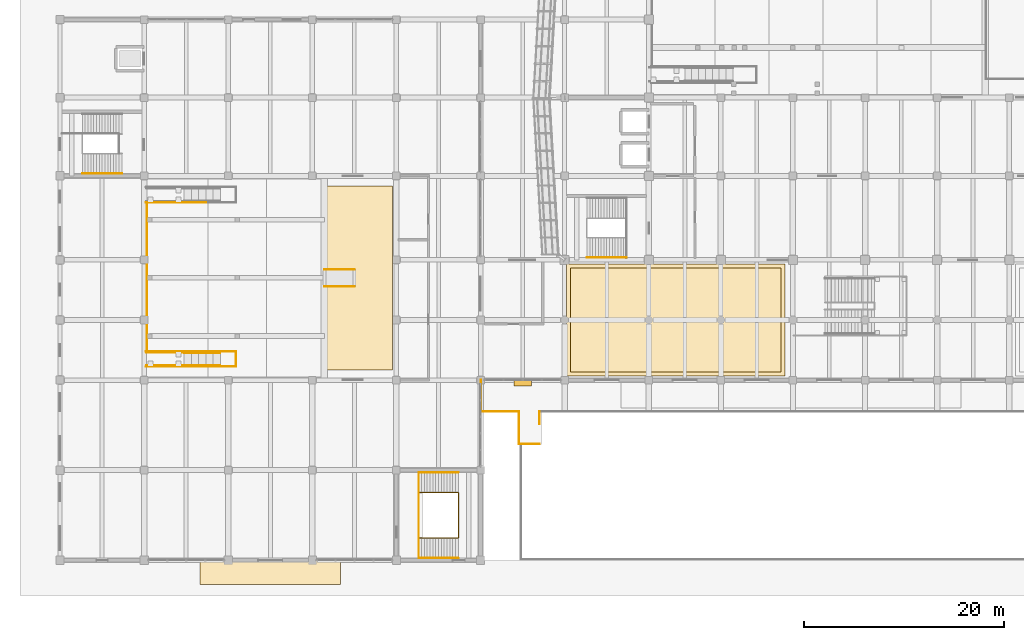
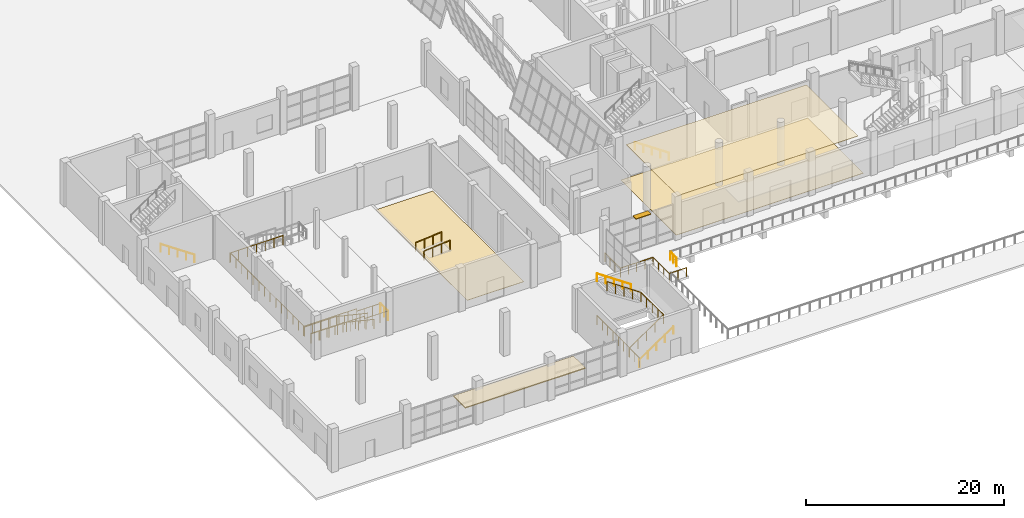
# One storey, part 71 of 78: 20 railings, 4 coverings, 1 shading device.
"""IFC4 building model written with IfcOpenShell, lengths in metres."""

import ifcopenshell
import ifcopenshell.guid

model = None  # the IFC model being written
_history = None  # IfcOwnerHistory: only IFC2X3 demands one
_inside = {}  # id of a spatial element -> (the spatial element, [elements in it])
_under = {}  # id of a project, library or spatial element -> (it, [spatial elements below it])
_declared = {}  # id of a project -> (the project, [libraries it declares])
_typed = {}  # id of a type object -> (the type object, [elements of that type])
_made_of = {}  # id of a material, layer set ... -> (it, [elements and type objects made of it])


def new_model(schema):
    """Start an empty IFC model of exactly this schema.

    Asked for "IFC4X3", IfcOpenShell would pick the latest addendum, in which some entities
    have other attributes; the version numbers below select the first issue.
    IFC2X3 requires an IfcOwnerHistory on every rooted entity: one is made here for all.
    """
    global model, _history
    if schema == "IFC4X3":
        model = ifcopenshell.file(schema_version=(4, 3, 0, 0))
    else:
        model = ifcopenshell.file(schema=schema)
    _inside.clear()
    _under.clear()
    _declared.clear()
    _typed.clear()
    _made_of.clear()
    _history = None
    if model.schema == "IFC2X3":
        org = make("IfcOrganization", Name="unknown")
        user = make(
            "IfcPersonAndOrganization",
            ThePerson=make("IfcPerson", FamilyName="unknown"),
            TheOrganization=org,
        )
        app = make(
            "IfcApplication",
            ApplicationDeveloper=org,
            Version="unknown",
            ApplicationFullName="unknown",
            ApplicationIdentifier="unknown",
        )
        _history = make(
            "IfcOwnerHistory",
            OwningUser=user,
            OwningApplication=app,
            ChangeAction="ADDED",
            CreationDate=0,
        )
    return model


def make(cls, **values):
    """One entity of the class cls with the attributes given. An attribute that is None is left unset."""
    return model.create_entity(
        cls, **{name: value for name, value in values.items() if value is not None}
    )


def rooted(cls, **values):
    """An entity with a GlobalId (a new one), such as an element, a storey or a relation."""
    return make(cls, GlobalId=ifcopenshell.guid.new(), OwnerHistory=_history, **values)


def si_unit(unit_type, name, prefix=None):
    """IfcSIUnit, for example si_unit("LENGTHUNIT", "METRE", prefix="MILLI")."""
    return make("IfcSIUnit", UnitType=unit_type, Prefix=prefix, Name=name)


def assignment(units):
    """IfcUnitAssignment: the units of a project."""
    return None if units is None else make("IfcUnitAssignment", Units=units)


def point(xyz):
    """IfcCartesianPoint."""
    return None if xyz is None else make("IfcCartesianPoint", Coordinates=xyz)


def direction(xyz):
    """IfcDirection."""
    return None if xyz is None else make("IfcDirection", DirectionRatios=xyz)


def frame(location, z_axis=None, x_axis=None):
    """IfcAxis2Placement3D, a coordinate frame: its origin and axes. An axis left out is left unset."""
    return make(
        "IfcAxis2Placement3D",
        Location=point(location),
        Axis=direction(z_axis),
        RefDirection=direction(x_axis),
    )


def frame_2d(location, x_axis=None):
    """IfcAxis2Placement2D, a coordinate frame in the plane: its origin and x axis."""
    return make(
        "IfcAxis2Placement2D", Location=point(location), RefDirection=direction(x_axis)
    )


def origin():
    """The frame at (0, 0, 0) with its axes left unset."""
    return frame((0.0, 0.0, 0.0))


def origin_2d():
    """The frame at (0, 0) in the plane with its x axis left unset."""
    return frame_2d((0.0, 0.0))


def place(relative_to, where):
    """IfcLocalPlacement: puts the frame where relative to a parent placement (None: the world)."""
    return make(
        "IfcLocalPlacement", PlacementRelTo=relative_to, RelativePlacement=where
    )


def context(
    kind, dimensions, precision=None, world=None, true_north=None, identifier=None
):
    """IfcGeometricRepresentationContext, for example the 3D "Model" context."""
    return make(
        "IfcGeometricRepresentationContext",
        ContextIdentifier=identifier,
        ContextType=kind,
        CoordinateSpaceDimension=dimensions,
        Precision=precision,
        WorldCoordinateSystem=world,
        TrueNorth=true_north,
    )


def subcontext(parent, identifier, kind, view, scale=None):
    """IfcGeometricRepresentationSubContext, for example "Body" below "Model"."""
    return make(
        "IfcGeometricRepresentationSubContext",
        ContextIdentifier=identifier,
        ContextType=kind,
        ParentContext=parent,
        TargetScale=scale,
        TargetView=view,
    )


def project(units=None, contexts=None):
    """IfcProject with its units and contexts."""
    return rooted(
        "IfcProject",
        Name="project",
        RepresentationContexts=contexts,
        UnitsInContext=assignment(units),
    )


def spatial(cls, under=None, at=None, **own):
    """A site, building, storey or space (cls), placed at a placement, below another one or the project."""
    s = rooted(cls, ObjectPlacement=at, **own)
    if under is not None:
        _under.setdefault(under.id(), (under, []))[1].append(s)
    return s


def polyline(points):
    """IfcPolyline through the points."""
    return make("IfcPolyline", Points=[point(p) for p in points])


def profile(cls, at=None, kind="AREA", **sizes):
    """A parametric profile (cls). Its sizes go by their IFC names, for example OverallWidth=200.0."""
    return make(cls, ProfileType=kind, Position=at, **sizes)


def rectangle(**sizes):
    """IfcRectangleProfileDef."""
    return profile("IfcRectangleProfileDef", **sizes)


def circle(**sizes):
    """IfcCircleProfileDef."""
    return profile("IfcCircleProfileDef", **sizes)


def outline(outer, holes=None, kind="AREA"):
    """IfcArbitraryClosedProfileDef: a profile drawn as a closed curve; with holes, ...WithVoids."""
    if holes is None:
        return make("IfcArbitraryClosedProfileDef", ProfileType=kind, OuterCurve=outer)
    return make(
        "IfcArbitraryProfileDefWithVoids",
        ProfileType=kind,
        OuterCurve=outer,
        InnerCurves=holes,
    )


def extrude(swept, where, along, depth):
    """IfcExtrudedAreaSolid: the profile swept, set in the frame where, extruded along a direction by depth."""
    return make(
        "IfcExtrudedAreaSolid",
        SweptArea=swept,
        Position=where,
        ExtrudedDirection=direction(along),
        Depth=depth,
    )


def shape(context_of_items, identifier, shape_type, items):
    """IfcShapeRepresentation: the items that make up one representation, for example the "Body"."""
    return make(
        "IfcShapeRepresentation",
        ContextOfItems=context_of_items,
        RepresentationIdentifier=identifier,
        RepresentationType=shape_type,
        Items=items,
    )


def material(Name=None, Category=None):
    """IfcMaterial."""
    return make("IfcMaterial", Name=Name, Category=Category)


def layer(
    of_material, thickness, ventilated=None, Name=None, Category=None, Priority=None
):
    """IfcMaterialLayer: one layer of a wall or slab, of a material (None: an air gap)."""
    return make(
        "IfcMaterialLayer",
        Material=of_material,
        LayerThickness=thickness,
        IsVentilated=ventilated,
        Name=Name,
        Category=Category,
        Priority=Priority,
    )


def layer_set(layers, Name=None):
    """IfcMaterialLayerSet."""
    return make("IfcMaterialLayerSet", MaterialLayers=layers, LayerSetName=Name)


def made_of(thing, what):
    """Note that an element or type object is made of a material, layer set ...; save() writes the relation."""
    if what is not None:
        _made_of.setdefault(what.id(), (what, []))[1].append(thing)
    return thing


def type_object(cls, material=None, **own):
    """A type object (cls), such as IfcWallType, which elements share."""
    return made_of(rooted(cls, **own), material)


def element(
    cls,
    number,
    at=None,
    inside=None,
    cuts=None,
    type_object=None,
    material=None,
    context=None,
    identifier="Body",
    shape_type=None,
    held_by="IfcProductDefinitionShape",
    body=None,
    shapes=None,
    **own,
):
    """One element of the class cls, such as IfcWall. Its Tag is "e" and its number.

    at: its placement. inside: the storey or other place that contains it. cuts: it is an
    opening in that element (IfcRelVoidsElement). A single representation is given by context,
    identifier, shape_type and body (its items); several are given by shapes. held_by: the class
    of the entity that holds the representations. save() writes the other relations.
    """
    e = rooted(cls, Tag="e%d" % number, ObjectPlacement=at, **own)
    if body is not None:
        shapes = [shape(context, identifier, shape_type, body)]
    if shapes is not None:
        e.Representation = make(held_by, Representations=shapes)
    if inside is not None:
        _inside.setdefault(inside.id(), (inside, []))[1].append(e)
    if cuts is not None:
        rooted(
            "IfcRelVoidsElement", RelatingBuildingElement=cuts, RelatedOpeningElement=e
        )
    if type_object is not None:
        _typed.setdefault(type_object.id(), (type_object, []))[1].append(e)
    return made_of(e, material)


def aggregate(whole, parts):
    """IfcRelAggregates: a whole, such as a stair, and the parts it consists of."""
    return rooted("IfcRelAggregates", RelatingObject=whole, RelatedObjects=parts)


def save(model, path):
    """Write the relations noted so far, then the file.

    IfcRelAggregates (storeys below a building ...), IfcRelContainedInSpatialStructure (elements
    in a storey), IfcRelDefinesByType, IfcRelAssociatesMaterial and IfcRelDeclares: one each for
    every whole, place, type object, material and project.
    """
    for whole, parts in _under.values():
        aggregate(whole, parts)
    for where, things in _inside.values():
        rooted(
            "IfcRelContainedInSpatialStructure",
            RelatedElements=things,
            RelatingStructure=where,
        )
    for kind, things in _typed.values():
        rooted("IfcRelDefinesByType", RelatedObjects=things, RelatingType=kind)
    for what, things in _made_of.values():
        rooted("IfcRelAssociatesMaterial", RelatedObjects=things, RelatingMaterial=what)
    for by, libraries in _declared.values():
        rooted("IfcRelDeclares", RelatingContext=by, RelatedDefinitions=libraries)
    model.write(path)


model = new_model("IFC4")

# Units and contexts
model_context = context("Model", 3, precision=1e-05, world=origin(), true_north=direction((0.0, 1.0)))
body_context = subcontext(model_context, "Body", "Model", "MODEL_VIEW")
ifc_project = project(units=[si_unit("LENGTHUNIT", "METRE"), si_unit("AREAUNIT", "SQUARE_METRE"), si_unit("VOLUMEUNIT", "CUBIC_METRE"), si_unit("PLANEANGLEUNIT", "RADIAN"), si_unit("MASSUNIT", "GRAM", prefix="KILO")], contexts=[model_context])

# Site, building, storey
site_placement = place(None, origin())
site = spatial("IfcSite", under=ifc_project, at=site_placement, CompositionType="ELEMENT")
building_placement = place(site_placement, origin())
building = spatial("IfcBuilding", under=site, at=building_placement, Name="Pellamere Symphony Hall", CompositionType="ELEMENT")
storey_placement = place(building_placement, origin())
storey = spatial("IfcBuildingStorey", under=building, at=storey_placement, Name="L00", CompositionType="ELEMENT", Elevation=0.0)

# Railing
ifc_material_1 = material(Name="Architectural Bronze-Anodised Aluminium Balustrade", Category="aluminium")
railing_type_1 = type_object("IfcRailingType", Name="Balustrade BL-02 H1150 Architectural", PredefinedType="BALUSTRADE", material=ifc_material_1)
railing_1_placement = place(storey_placement, frame((8.679931640625, 20.85009765625, 0.85009765625)))
element("IfcRailing", 1, at=railing_1_placement, inside=storey, type_object=railing_type_1, Name="Safety Guardrail BL-C-L00W", PredefinedType="BALUSTRADE", context=body_context, shape_type="SweptSolid", body=[
    extrude(circle(Radius=0.02392578125, at=origin_2d()), frame((0.0, 0.0, 1.1259765625), z_axis=(0.0, 1.0, 0.0), x_axis=(-1.0, 0.0, 0.0)), (0.0, 0.0, 1.0), 14.89990234375),
    extrude(circle(Radius=0.02099609375, at=origin_2d()), origin(), (0.0, 0.0, 1.0), 1.101806640625),
    extrude(circle(Radius=0.02099609375, at=origin_2d()), frame((0.0, 1.146240234375, 0.0)), (0.0, 0.0, 1.0), 1.101806640625),
    extrude(circle(Radius=0.02099609375, at=origin_2d()), frame((0.0, 2.292236328125, 0.0)), (0.0, 0.0, 1.0), 1.101806640625),
    extrude(circle(Radius=0.02099609375, at=origin_2d()), frame((0.0, 3.4384765625, 0.0)), (0.0, 0.0, 1.0), 1.101806640625),
    extrude(circle(Radius=0.02099609375, at=origin_2d()), frame((0.0, 4.58447265625, 0.0)), (0.0, 0.0, 1.0), 1.101806640625),
    extrude(circle(Radius=0.02099609375, at=origin_2d()), frame((0.0, 5.730712890625, 0.0)), (0.0, 0.0, 1.0), 1.101806640625),
    extrude(circle(Radius=0.02099609375, at=origin_2d()), frame((0.0, 6.876953125, 0.0)), (0.0, 0.0, 1.0), 1.101806640625),
    extrude(circle(Radius=0.02099609375, at=origin_2d()), frame((0.0, 8.02294921875, 0.0)), (0.0, 0.0, 1.0), 1.101806640625),
    extrude(circle(Radius=0.02099609375, at=origin_2d()), frame((0.0, 9.169189453125, 0.0)), (0.0, 0.0, 1.0), 1.101806640625),
    extrude(circle(Radius=0.02099609375, at=origin_2d()), frame((0.0, 10.3154296875, 0.0)), (0.0, 0.0, 1.0), 1.101806640625),
    extrude(circle(Radius=0.02099609375, at=origin_2d()), frame((0.0, 11.46142578125, 0.0)), (0.0, 0.0, 1.0), 1.101806640625),
    extrude(circle(Radius=0.02099609375, at=origin_2d()), frame((0.0, 12.607666015625, 0.0)), (0.0, 0.0, 1.0), 1.101806640625),
    extrude(circle(Radius=0.02099609375, at=origin_2d()), frame((0.0, 13.753662109375, 0.0)), (0.0, 0.0, 1.0), 1.101806640625),
    extrude(circle(Radius=0.02099609375, at=origin_2d()), frame((0.0, 14.89990234375, 0.0)), (0.0, 0.0, 1.0), 1.101806640625),
])

# Covering
ifc_material_2 = material(Name="Cantilevered Architectural Bronze Entrance Canopy Soffit", Category="aluminium")
ifc_layer_1 = layer(ifc_material_2, 0.1201171875, Name="Cantilevered Architectural Bronze Entrance Canopy Soffit")
ifc_layer_set_1 = layer_set([ifc_layer_1], Name="Cantilevered Architectural Bronze Entrance Canopy Soffit")
covering_type_1 = type_object("IfcCoveringType", Name="Envelope Covering CN-01 120mm", PredefinedType="USERDEFINED", material=ifc_layer_set_1)
covering_1_placement = place(storey_placement, frame((0.0, 0.0, 4.10009765625)))
element("IfcCovering", 2, at=covering_1_placement, inside=storey, type_object=covering_type_1, Name="Entrance Bronze Canopy Soffit 3", ObjectType="CANOPY", PredefinedType="USERDEFINED", context=body_context, shape_type="SweptSolid", body=[
    extrude(outline(polyline([(14.0, -2.39990234375), (28.0, -2.39990234375), (28.0, 0.02001953125), (14.0, 0.02001953125), (14.0, -2.39990234375)])), origin(), (0.0, 0.0, 1.0), 0.119873046875),
])

# Shading device
ifc_material_3 = material(Name="Champagne-Anodised Extruded Aluminium 6063-T6", Category="aluminium")
shading_device_type = type_object("IfcShadingDeviceType", Name="Exterior Shading SD-02 1750x650", PredefinedType="AWNING", material=ifc_material_3)
shading_device_placement = place(storey_placement, frame((46.199951171875, 17.719970703125, 4.41259765625), z_axis=(0.0, 0.0, 1.0), x_axis=(1.0, 0.0, 0.0)))
element("IfcShadingDevice", 3, at=shading_device_placement, inside=storey, type_object=shading_device_type, Name="South Concourse Brise-Soleil Awning (L00 Bay 1)", PredefinedType="AWNING", context=body_context, shape_type="SweptSolid", body=[
    extrude(rectangle(XDim=1.75, YDim=0.64990234375, at=origin_2d()), origin(), (0.0, 0.0, 1.0), 0.074951171875),
])

# Railings
ifc_material_4 = material(Name="Stainless Steel AISI 316", Category="steel")
railing_type_2 = type_object("IfcRailingType", Name="Guardrail GR-01 H1120 Stainless", PredefinedType="GUARDRAIL", material=ifc_material_4)
railing_2_placement = place(storey_placement, frame((45.85009765625, 14.8798828125, 0.0)))
element("IfcRailing", 4, at=railing_2_placement, inside=storey, type_object=railing_type_2, Name="Ramp RMP-01 Arrival Bridge South Guard", PredefinedType="GUARDRAIL", context=body_context, shape_type="SweptSolid", body=[
    extrude(circle(Radius=0.02392578125, at=origin_2d()), frame((0.0, 0.0, 1.09619140625), z_axis=(0.0, -1.0, 0.0), x_axis=(1.0, 0.0, 0.0)), (0.0, 0.0, 1.0), 3.27978515625),
    extrude(circle(Radius=0.02392578125, at=origin_2d()), frame((0.0, -3.27978515625, 1.09619140625), z_axis=(1.0, 0.0, 0.0), x_axis=(0.0, 1.0, 0.0)), (0.0, 0.0, 1.0), 2.02978515625),
    extrude(circle(Radius=0.02099609375, at=origin_2d()), origin(), (0.0, 0.0, 1.0), 1.072021484375),
    extrude(circle(Radius=0.02099609375, at=origin_2d()), frame((0.0, -1.09326171875, 0.0)), (0.0, 0.0, 1.0), 1.072021484375),
    extrude(circle(Radius=0.02099609375, at=origin_2d()), frame((0.0, -2.1865234375, 0.0)), (0.0, 0.0, 1.0), 1.072021484375),
    extrude(circle(Radius=0.02099609375, at=origin_2d()), frame((0.0, -3.27978515625, 0.0)), (0.0, 0.0, 1.0), 1.072021484375),
    extrude(circle(Radius=0.02099609375, at=origin_2d()), frame((1.014892578125, -3.27978515625, 0.0)), (0.0, 0.0, 1.0), 1.072021484375),
    extrude(circle(Radius=0.02099609375, at=origin_2d()), frame((2.02978515625, -3.27978515625, 0.0)), (0.0, 0.0, 1.0), 1.072021484375),
])
railing_3_placement = place(storey_placement, frame((47.8798828125, 13.6201171875, 0.0)))
element("IfcRailing", 5, at=railing_3_placement, inside=storey, type_object=railing_type_2, Name="Ramp RMP-01 Arrival Bridge East Guard", PredefinedType="GUARDRAIL", context=body_context, shape_type="SweptSolid", body=[
    extrude(circle(Radius=0.02392578125, at=origin_2d()), frame((0.0, 0.0, 1.09619140625), z_axis=(0.0, 1.0, 0.0), x_axis=(-1.0, 0.0, 0.0)), (0.0, 0.0, 1.0), 1.259765625),
    extrude(circle(Radius=0.02099609375, at=origin_2d()), origin(), (0.0, 0.0, 1.0), 1.072021484375),
    extrude(circle(Radius=0.02099609375, at=origin_2d()), frame((0.0, 0.6298828125, 0.0)), (0.0, 0.0, 1.0), 1.072021484375),
    extrude(circle(Radius=0.02099609375, at=origin_2d()), frame((0.0, 1.259765625, 0.0)), (0.0, 0.0, 1.0), 1.072021484375),
])
railing_4_placement = place(storey_placement, frame((42.050048828125, 18.0, 0.0)))
element("IfcRailing", 6, at=railing_4_placement, inside=storey, type_object=railing_type_2, Name="Safety Guardrail GR-PORCH-1", PredefinedType="GUARDRAIL", context=body_context, shape_type="SweptSolid", body=[
    extrude(circle(Radius=0.02392578125, at=origin_2d()), frame((0.0, 0.0, 1.09619140625), z_axis=(0.0, -1.0, 0.0), x_axis=(1.0, 0.0, 0.0)), (0.0, 0.0, 1.0), 3.1201171875),
    extrude(circle(Radius=0.02392578125, at=origin_2d()), frame((0.0, -3.1201171875, 1.09619140625), z_axis=(1.0, 0.0, 0.0), x_axis=(0.0, 1.0, 0.0)), (0.0, 0.0, 1.0), 3.800048828125),
    extrude(circle(Radius=0.02099609375, at=origin_2d()), origin(), (0.0, 0.0, 1.0), 1.072021484375),
    extrude(circle(Radius=0.02099609375, at=origin_2d()), frame((0.0, -1.0400390625, 0.0)), (0.0, 0.0, 1.0), 1.072021484375),
    extrude(circle(Radius=0.02099609375, at=origin_2d()), frame((0.0, -2.080078125, 0.0)), (0.0, 0.0, 1.0), 1.072021484375),
    extrude(circle(Radius=0.02099609375, at=origin_2d()), frame((0.0, -3.1201171875, 0.0)), (0.0, 0.0, 1.0), 1.072021484375),
    extrude(circle(Radius=0.02099609375, at=origin_2d()), frame((0.949951171875, -3.1201171875, 0.0)), (0.0, 0.0, 1.0), 1.072021484375),
    extrude(circle(Radius=0.02099609375, at=origin_2d()), frame((1.89990234375, -3.1201171875, 0.0)), (0.0, 0.0, 1.0), 1.072021484375),
    extrude(circle(Radius=0.02099609375, at=origin_2d()), frame((2.85009765625, -3.1201171875, 0.0)), (0.0, 0.0, 1.0), 1.072021484375),
    extrude(circle(Radius=0.02099609375, at=origin_2d()), frame((3.800048828125, -3.1201171875, 0.0)), (0.0, 0.0, 1.0), 1.072021484375),
])
ifc_material_5 = material(Name="Painted Steel CSA G40.21 350W", Category="steel")
railing_type_3 = type_object("IfcRailingType", Name="Guardrail GR-02 H1150 Painted", PredefinedType="GUARDRAIL", material=ifc_material_5)
railing_5_placement = place(storey_placement, frame((35.824951171875, 2.239990234375, 0.0)))
element("IfcRailing", 7, at=railing_5_placement, inside=storey, type_object=railing_type_3, Name="Stair ST09-L00 Continuous Well Guardrail (L00)", PredefinedType="GUARDRAIL", context=body_context, shape_type="SweptSolid", body=[
    extrude(circle(Radius=0.02392578125, at=origin_2d()), frame((0.0, 0.0, 1.1259765625), z_axis=(0.825565005729, 0.0, 0.564307027527), x_axis=(0.0, 1.0, 0.0)), (0.0, 0.0, 1.0), 4.784423828125),
    extrude(circle(Radius=0.02392578125, at=origin_2d()), frame((3.949951171875, 0.0, 3.82568359375), z_axis=(0.0, 1.0, 0.0), x_axis=(-1.0, 0.0, 0.0)), (0.0, 0.0, 1.0), 4.52001953125),
    extrude(circle(Radius=0.02392578125, at=origin_2d()), frame((3.949951171875, 4.52001953125, 3.82568359375), z_axis=(-0.825565005729, 0.0, 0.564307027527), x_axis=(0.0, -1.0, 0.0)), (0.0, 0.0, 1.0), 4.784423828125),
    extrude(circle(Radius=0.02099609375, at=origin_2d()), origin(), (0.0, 0.0, 1.0), 1.101806640625),
    extrude(circle(Radius=0.02099609375, at=origin_2d()), frame((0.987548828125, 0.0, 0.675048828125)), (0.0, 0.0, 1.0), 1.101806640625),
    extrude(circle(Radius=0.02099609375, at=origin_2d()), frame((1.97509765625, 0.0, 1.35009765625)), (0.0, 0.0, 1.0), 1.101806640625),
    extrude(circle(Radius=0.02099609375, at=origin_2d()), frame((2.96240234375, 0.0, 2.02490234375)), (0.0, 0.0, 1.0), 1.101806640625),
    extrude(circle(Radius=0.02099609375, at=origin_2d()), frame((3.949951171875, 0.0, 2.699951171875)), (0.0, 0.0, 1.0), 1.101806640625),
    extrude(circle(Radius=0.02099609375, at=origin_2d()), frame((3.949951171875, 1.1298828125, 2.699951171875)), (0.0, 0.0, 1.0), 1.101806640625),
    extrude(circle(Radius=0.02099609375, at=origin_2d()), frame((3.949951171875, 2.260009765625, 2.699951171875)), (0.0, 0.0, 1.0), 1.101806640625),
    extrude(circle(Radius=0.02099609375, at=origin_2d()), frame((3.949951171875, 3.39013671875, 2.699951171875)), (0.0, 0.0, 1.0), 1.101806640625),
    extrude(circle(Radius=0.02099609375, at=origin_2d()), frame((3.949951171875, 4.52001953125, 2.699951171875)), (0.0, 0.0, 1.0), 1.101806640625),
    extrude(circle(Radius=0.02099609375, at=origin_2d()), frame((2.96240234375, 4.52001953125, 3.375)), (0.0, 0.0, 1.0), 1.101806640625),
    extrude(circle(Radius=0.02099609375, at=origin_2d()), frame((1.97509765625, 4.52001953125, 4.0498046875)), (0.0, 0.0, 1.0), 1.101806640625),
    extrude(circle(Radius=0.02099609375, at=origin_2d()), frame((0.987548828125, 4.52001953125, 4.724853515625)), (0.0, 0.0, 1.0), 1.101806640625),
    extrude(circle(Radius=0.02099609375, at=origin_2d()), frame((0.0, 4.52001953125, 5.39990234375)), (0.0, 0.0, 1.0), 1.101806640625),
])
railing_6_placement = place(storey_placement, frame((35.824951171875, 0.2099609375, 0.0)))
element("IfcRailing", 8, at=railing_6_placement, inside=storey, type_object=railing_type_3, Name="Stair ST09-L00 Landing Well Slot Guard (L00)", PredefinedType="GUARDRAIL", context=body_context, shape_type="SweptSolid", body=[
    extrude(circle(Radius=0.02392578125, at=origin_2d()), frame((0.0, 0.0, 1.1259765625), z_axis=(0.0, 1.0, 0.0), x_axis=(-1.0, 0.0, 0.0)), (0.0, 0.0, 1.0), 8.580078125),
    extrude(circle(Radius=0.02099609375, at=origin_2d()), origin(), (0.0, 0.0, 1.0), 1.101806640625),
    extrude(circle(Radius=0.02099609375, at=origin_2d()), frame((0.0, 1.072509765625, 0.0)), (0.0, 0.0, 1.0), 1.101806640625),
    extrude(circle(Radius=0.02099609375, at=origin_2d()), frame((0.0, 2.14501953125, 0.0)), (0.0, 0.0, 1.0), 1.101806640625),
    extrude(circle(Radius=0.02099609375, at=origin_2d()), frame((0.0, 3.217529296875, 0.0)), (0.0, 0.0, 1.0), 1.101806640625),
    extrude(circle(Radius=0.02099609375, at=origin_2d()), frame((0.0, 4.2900390625, 0.0)), (0.0, 0.0, 1.0), 1.101806640625),
    extrude(circle(Radius=0.02099609375, at=origin_2d()), frame((0.0, 5.362548828125, 0.0)), (0.0, 0.0, 1.0), 1.101806640625),
    extrude(circle(Radius=0.02099609375, at=origin_2d()), frame((0.0, 6.43505859375, 0.0)), (0.0, 0.0, 1.0), 1.101806640625),
    extrude(circle(Radius=0.02099609375, at=origin_2d()), frame((0.0, 7.507568359375, 0.0)), (0.0, 0.0, 1.0), 1.101806640625),
    extrude(circle(Radius=0.02099609375, at=origin_2d()), frame((0.0, 8.580078125, 0.0)), (0.0, 0.0, 1.0), 1.101806640625),
])
railing_7_placement = place(storey_placement, frame((16.0, 19.47509765625, 0.0)))
element("IfcRailing", 9, at=railing_7_placement, inside=storey, type_object=railing_type_3, Name="Vomitory VOM-05 South Guardrail", PredefinedType="GUARDRAIL", context=body_context, shape_type="SweptSolid", body=[
    extrude(circle(Radius=0.02392578125, at=origin_2d()), frame((0.0, 0.0, 1.1259765625), z_axis=(-0.973235091466, 0.0, 0.229811785466), x_axis=(0.0, -1.0, 0.0)), (0.0, 0.0, 1.0), 3.69921875),
    extrude(circle(Radius=0.02392578125, at=origin_2d()), frame((-3.60009765625, 0.0, 1.97607421875), z_axis=(0.0, -1.0, 0.0), x_axis=(1.0, 0.0, 0.0)), (0.0, 0.0, 1.0), 0.025146484375),
    extrude(circle(Radius=0.02392578125, at=origin_2d()), frame((-3.60009765625, -0.025146484375, 1.97607421875), z_axis=(-1.0, 0.0, 0.0), x_axis=(0.0, -1.0, 0.0)), (0.0, 0.0, 1.0), 3.75),
    extrude(circle(Radius=0.02099609375, at=origin_2d()), origin(), (0.0, 0.0, 1.0), 1.101806640625),
    extrude(circle(Radius=0.02099609375, at=origin_2d()), frame((-0.89990234375, 0.0, 0.21240234375)), (0.0, 0.0, 1.0), 1.101806640625),
    extrude(circle(Radius=0.02099609375, at=origin_2d()), frame((-1.800048828125, 0.0, 0.425048828125)), (0.0, 0.0, 1.0), 1.101806640625),
    extrude(circle(Radius=0.02099609375, at=origin_2d()), frame((-2.7001953125, 0.0, 0.6376953125)), (0.0, 0.0, 1.0), 1.101806640625),
    extrude(circle(Radius=0.02099609375, at=origin_2d()), frame((-3.60009765625, 0.0, 0.85009765625)), (0.0, 0.0, 1.0), 1.101806640625),
    extrude(circle(Radius=0.02099609375, at=origin_2d()), frame((-3.60009765625, -0.025146484375, 0.85009765625)), (0.0, 0.0, 1.0), 1.101806640625),
    extrude(circle(Radius=0.02099609375, at=origin_2d()), frame((-4.53759765625, -0.025146484375, 0.85009765625)), (0.0, 0.0, 1.0), 1.101806640625),
    extrude(circle(Radius=0.02099609375, at=origin_2d()), frame((-5.47509765625, -0.025146484375, 0.85009765625)), (0.0, 0.0, 1.0), 1.101806640625),
    extrude(circle(Radius=0.02099609375, at=origin_2d()), frame((-6.41259765625, -0.025146484375, 0.85009765625)), (0.0, 0.0, 1.0), 1.101806640625),
    extrude(circle(Radius=0.02099609375, at=origin_2d()), frame((-7.35009765625, -0.025146484375, 0.85009765625)), (0.0, 0.0, 1.0), 1.101806640625),
])
railing_8_placement = place(storey_placement, frame((16.0, 20.72509765625, 0.0)))
element("IfcRailing", 10, at=railing_8_placement, inside=storey, type_object=railing_type_3, Name="Vomitory VOM-05 North Guardrail", PredefinedType="GUARDRAIL", context=body_context, shape_type="SweptSolid", body=[
    extrude(circle(Radius=0.02392578125, at=origin_2d()), frame((0.0, 0.0, 1.1259765625), z_axis=(-0.973235091466, 0.0, 0.229811785466), x_axis=(0.0, -1.0, 0.0)), (0.0, 0.0, 1.0), 3.69921875),
    extrude(circle(Radius=0.02392578125, at=origin_2d()), frame((-3.60009765625, 0.0, 1.97607421875), z_axis=(0.0, 1.0, 0.0), x_axis=(-1.0, 0.0, 0.0)), (0.0, 0.0, 1.0), 0.02490234375),
    extrude(circle(Radius=0.02392578125, at=origin_2d()), frame((-3.60009765625, 0.02490234375, 1.97607421875), z_axis=(-1.0, 0.0, 0.0), x_axis=(0.0, -1.0, 0.0)), (0.0, 0.0, 1.0), 3.75),
    extrude(circle(Radius=0.02099609375, at=origin_2d()), origin(), (0.0, 0.0, 1.0), 1.101806640625),
    extrude(circle(Radius=0.02099609375, at=origin_2d()), frame((-0.89990234375, 0.0, 0.21240234375)), (0.0, 0.0, 1.0), 1.101806640625),
    extrude(circle(Radius=0.02099609375, at=origin_2d()), frame((-1.800048828125, 0.0, 0.425048828125)), (0.0, 0.0, 1.0), 1.101806640625),
    extrude(circle(Radius=0.02099609375, at=origin_2d()), frame((-2.7001953125, 0.0, 0.6376953125)), (0.0, 0.0, 1.0), 1.101806640625),
    extrude(circle(Radius=0.02099609375, at=origin_2d()), frame((-3.60009765625, 0.0, 0.85009765625)), (0.0, 0.0, 1.0), 1.101806640625),
    extrude(circle(Radius=0.02099609375, at=origin_2d()), frame((-3.60009765625, 0.02490234375, 0.85009765625)), (0.0, 0.0, 1.0), 1.101806640625),
    extrude(circle(Radius=0.02099609375, at=origin_2d()), frame((-4.53759765625, 0.02490234375, 0.85009765625)), (0.0, 0.0, 1.0), 1.101806640625),
    extrude(circle(Radius=0.02099609375, at=origin_2d()), frame((-5.47509765625, 0.02490234375, 0.85009765625)), (0.0, 0.0, 1.0), 1.101806640625),
    extrude(circle(Radius=0.02099609375, at=origin_2d()), frame((-6.41259765625, 0.02490234375, 0.85009765625)), (0.0, 0.0, 1.0), 1.101806640625),
    extrude(circle(Radius=0.02099609375, at=origin_2d()), frame((-7.35009765625, 0.02490234375, 0.85009765625)), (0.0, 0.0, 1.0), 1.101806640625),
])
for number, where, name in (
    (11, (26.39990234375, 27.35009765625, 0.0), "Chamber Hall Front Row Accessible Ramp Handrail A"),
    (12, (26.39990234375, 29.050048828125, 0.0), "Chamber Hall Front Row Accessible Ramp Handrail B"),
):
    element("IfcRailing", number, at=place(storey_placement, frame(where)), inside=storey, type_object=railing_type_3, Name=name, PredefinedType="GUARDRAIL", context=body_context, shape_type="SweptSolid", body=[
        extrude(circle(Radius=0.02392578125, at=origin_2d()), frame((0.0, 0.0, 1.1259765625), z_axis=(0.996545758245, 0.0, 0.083045479854), x_axis=(0.0, 1.0, 0.0)), (0.0, 0.0, 1.0), 3.010498046875),
        extrude(circle(Radius=0.02099609375, at=origin_2d()), origin(), (0.0, 0.0, 1.0), 1.101806640625),
        extrude(circle(Radius=0.02099609375, at=origin_2d()), frame((1.0, 0.0, 0.083251953125)), (0.0, 0.0, 1.0), 1.101806640625),
        extrude(circle(Radius=0.02099609375, at=origin_2d()), frame((2.0, 0.0, 0.166748046875)), (0.0, 0.0, 1.0), 1.101806640625),
        extrude(circle(Radius=0.02099609375, at=origin_2d()), frame((3.0, 0.0, 0.25)), (0.0, 0.0, 1.0), 1.101806640625),
    ])
ifc_material_6 = material(Name="Laminated Safety Glass 21.5mm with Stainless Cap", Category="glass")
railing_type_4 = type_object("IfcRailingType", Name="Guardrail GR-03 H1180 Laminated", PredefinedType="GUARDRAIL", material=ifc_material_6)
railing_9_placement = place(storey_placement, frame((17.56005859375, 19.340087890625, 0.550048828125)))
element("IfcRailing", 13, at=railing_9_placement, inside=storey, type_object=railing_type_4, Name="Vomitory Slot East Edge Balustrade VOM-05", PredefinedType="GUARDRAIL", context=body_context, shape_type="SweptSolid", body=[
    extrude(circle(Radius=0.02392578125, at=origin_2d()), frame((0.0, 0.0, 1.15576171875), z_axis=(0.0, 1.0, 0.0), x_axis=(-1.0, 0.0, 0.0)), (0.0, 0.0, 1.0), 1.52001953125),
    extrude(circle(Radius=0.02099609375, at=origin_2d()), origin(), (0.0, 0.0, 1.0), 1.1318359375),
    extrude(circle(Radius=0.02099609375, at=origin_2d()), frame((0.0, 0.760009765625, 0.0)), (0.0, 0.0, 1.0), 1.1318359375),
    extrude(circle(Radius=0.02099609375, at=origin_2d()), frame((0.0, 1.52001953125, 0.0)), (0.0, 0.0, 1.0), 1.1318359375),
])
railing_10_placement = place(storey_placement, frame((8.60009765625, 19.340087890625, 0.85009765625)))
element("IfcRailing", 14, at=railing_10_placement, inside=storey, type_object=railing_type_4, Name="Vomitory Slot Bay 1 Balustrade VOM-05-1", PredefinedType="GUARDRAIL", context=body_context, shape_type="SweptSolid", body=[
    extrude(circle(Radius=0.02392578125, at=origin_2d()), frame((0.0, 0.0, 1.15576171875), z_axis=(1.0, 0.0, 0.0), x_axis=(0.0, 1.0, 0.0)), (0.0, 0.0, 1.0), 6.199951171875),
    extrude(circle(Radius=0.02099609375, at=origin_2d()), origin(), (0.0, 0.0, 1.0), 1.1318359375),
    extrude(circle(Radius=0.02099609375, at=origin_2d()), frame((1.033203125, 0.0, 0.0)), (0.0, 0.0, 1.0), 1.1318359375),
    extrude(circle(Radius=0.02099609375, at=origin_2d()), frame((2.066650390625, 0.0, 0.0)), (0.0, 0.0, 1.0), 1.1318359375),
    extrude(circle(Radius=0.02099609375, at=origin_2d()), frame((3.10009765625, 0.0, 0.0)), (0.0, 0.0, 1.0), 1.1318359375),
    extrude(circle(Radius=0.02099609375, at=origin_2d()), frame((4.13330078125, 0.0, 0.0)), (0.0, 0.0, 1.0), 1.1318359375),
    extrude(circle(Radius=0.02099609375, at=origin_2d()), frame((5.16650390625, 0.0, 0.0)), (0.0, 0.0, 1.0), 1.1318359375),
    extrude(circle(Radius=0.02099609375, at=origin_2d()), frame((6.199951171875, 0.0, 0.0)), (0.0, 0.0, 1.0), 1.1318359375),
])
railing_11_placement = place(storey_placement, frame((14.800048828125, 19.340087890625, 0.550048828125)))
element("IfcRailing", 15, at=railing_11_placement, inside=storey, type_object=railing_type_4, Name="Vomitory Slot Bay 2 Balustrade VOM-05-1", PredefinedType="GUARDRAIL", context=body_context, shape_type="SweptSolid", body=[
    extrude(circle(Radius=0.02392578125, at=origin_2d()), frame((0.0, 0.0, 1.15576171875), z_axis=(1.0, 0.0, 0.0), x_axis=(0.0, 1.0, 0.0)), (0.0, 0.0, 1.0), 2.780029296875),
    extrude(circle(Radius=0.02099609375, at=origin_2d()), origin(), (0.0, 0.0, 1.0), 1.1318359375),
    extrude(circle(Radius=0.02099609375, at=origin_2d()), frame((0.9267578125, 0.0, 0.0)), (0.0, 0.0, 1.0), 1.1318359375),
    extrude(circle(Radius=0.02099609375, at=origin_2d()), frame((1.853271484375, 0.0, 0.0)), (0.0, 0.0, 1.0), 1.1318359375),
    extrude(circle(Radius=0.02099609375, at=origin_2d()), frame((2.780029296875, 0.0, 0.0)), (0.0, 0.0, 1.0), 1.1318359375),
])
railing_12_placement = place(storey_placement, frame((8.60009765625, 20.860107421875, 0.85009765625)))
element("IfcRailing", 16, at=railing_12_placement, inside=storey, type_object=railing_type_4, Name="Vomitory Slot Bay 1 Balustrade VOM-05-2", PredefinedType="GUARDRAIL", context=body_context, shape_type="SweptSolid", body=[
    extrude(circle(Radius=0.02392578125, at=origin_2d()), frame((0.0, 0.0, 1.15576171875), z_axis=(1.0, 0.0, 0.0), x_axis=(0.0, 1.0, 0.0)), (0.0, 0.0, 1.0), 6.199951171875),
    extrude(circle(Radius=0.02099609375, at=origin_2d()), origin(), (0.0, 0.0, 1.0), 1.1318359375),
    extrude(circle(Radius=0.02099609375, at=origin_2d()), frame((1.033203125, 0.0, 0.0)), (0.0, 0.0, 1.0), 1.1318359375),
    extrude(circle(Radius=0.02099609375, at=origin_2d()), frame((2.066650390625, 0.0, 0.0)), (0.0, 0.0, 1.0), 1.1318359375),
    extrude(circle(Radius=0.02099609375, at=origin_2d()), frame((3.10009765625, 0.0, 0.0)), (0.0, 0.0, 1.0), 1.1318359375),
    extrude(circle(Radius=0.02099609375, at=origin_2d()), frame((4.13330078125, 0.0, 0.0)), (0.0, 0.0, 1.0), 1.1318359375),
    extrude(circle(Radius=0.02099609375, at=origin_2d()), frame((5.16650390625, 0.0, 0.0)), (0.0, 0.0, 1.0), 1.1318359375),
    extrude(circle(Radius=0.02099609375, at=origin_2d()), frame((6.199951171875, 0.0, 0.0)), (0.0, 0.0, 1.0), 1.1318359375),
])
railing_13_placement = place(storey_placement, frame((14.800048828125, 20.860107421875, 0.550048828125)))
element("IfcRailing", 17, at=railing_13_placement, inside=storey, type_object=railing_type_4, Name="Vomitory Slot Bay 2 Balustrade VOM-05-2", PredefinedType="GUARDRAIL", context=body_context, shape_type="SweptSolid", body=[
    extrude(circle(Radius=0.02392578125, at=origin_2d()), frame((0.0, 0.0, 1.15576171875), z_axis=(1.0, 0.0, 0.0), x_axis=(0.0, 1.0, 0.0)), (0.0, 0.0, 1.0), 2.780029296875),
    extrude(circle(Radius=0.02099609375, at=origin_2d()), origin(), (0.0, 0.0, 1.0), 1.1318359375),
    extrude(circle(Radius=0.02099609375, at=origin_2d()), frame((0.9267578125, 0.0, 0.0)), (0.0, 0.0, 1.0), 1.1318359375),
    extrude(circle(Radius=0.02099609375, at=origin_2d()), frame((1.853271484375, 0.0, 0.0)), (0.0, 0.0, 1.0), 1.1318359375),
    extrude(circle(Radius=0.02099609375, at=origin_2d()), frame((2.780029296875, 0.0, 0.0)), (0.0, 0.0, 1.0), 1.1318359375),
])
railing_14_placement = place(storey_placement, frame((8.60009765625, 35.739990234375, 0.85009765625)))
element("IfcRailing", 18, at=railing_14_placement, inside=storey, type_object=railing_type_4, Name="Vomitory Slot Bay 1 Balustrade VOM-06-1", PredefinedType="GUARDRAIL", context=body_context, shape_type="SweptSolid", body=[
    extrude(circle(Radius=0.02392578125, at=origin_2d()), frame((0.0, 0.0, 1.15576171875), z_axis=(1.0, 0.0, 0.0), x_axis=(0.0, 1.0, 0.0)), (0.0, 0.0, 1.0), 6.199951171875),
    extrude(circle(Radius=0.02099609375, at=origin_2d()), origin(), (0.0, 0.0, 1.0), 1.1318359375),
    extrude(circle(Radius=0.02099609375, at=origin_2d()), frame((1.033203125, 0.0, 0.0)), (0.0, 0.0, 1.0), 1.1318359375),
    extrude(circle(Radius=0.02099609375, at=origin_2d()), frame((2.066650390625, 0.0, 0.0)), (0.0, 0.0, 1.0), 1.1318359375),
    extrude(circle(Radius=0.02099609375, at=origin_2d()), frame((3.10009765625, 0.0, 0.0)), (0.0, 0.0, 1.0), 1.1318359375),
    extrude(circle(Radius=0.02099609375, at=origin_2d()), frame((4.13330078125, 0.0, 0.0)), (0.0, 0.0, 1.0), 1.1318359375),
    extrude(circle(Radius=0.02099609375, at=origin_2d()), frame((5.16650390625, 0.0, 0.0)), (0.0, 0.0, 1.0), 1.1318359375),
    extrude(circle(Radius=0.02099609375, at=origin_2d()), frame((6.199951171875, 0.0, 0.0)), (0.0, 0.0, 1.0), 1.1318359375),
])
railing_type_5 = type_object("IfcRailingType", Name="Handrail HR-01 H920 Stainless", PredefinedType="HANDRAIL", material=ifc_material_4)
for number, where, name in (
    (19, (56.574951171875, 30.219970703125, 0.0), "Stair ST01-L00 Lower Wall Handrail (L00)"),
    (20, (6.175048828125, 38.6201171875, 0.0), "Stair ST03-L00 Lower Wall Handrail (L00)"),
):
    element("IfcRailing", number, at=place(storey_placement, frame(where)), inside=storey, type_object=railing_type_5, Name=name, PredefinedType="HANDRAIL", context=body_context, shape_type="SweptSolid", body=[
        extrude(circle(Radius=0.02392578125, at=origin_2d()), frame((0.0, 0.0, 0.89599609375), z_axis=(-0.825565005729, 0.0, 0.564307027527), x_axis=(0.0, -1.0, 0.0)), (0.0, 0.0, 1.0), 4.784423828125),
        extrude(circle(Radius=0.02099609375, at=origin_2d()), origin(), (0.0, 0.0, 1.0), 0.871826171875),
        extrude(circle(Radius=0.02099609375, at=origin_2d()), frame((-0.987548828125, 0.0, 0.675048828125)), (0.0, 0.0, 1.0), 0.871826171875),
        extrude(circle(Radius=0.02099609375, at=origin_2d()), frame((-1.97509765625, 0.0, 1.35009765625)), (0.0, 0.0, 1.0), 0.871826171875),
        extrude(circle(Radius=0.02099609375, at=origin_2d()), frame((-2.96240234375, 0.0, 2.02490234375)), (0.0, 0.0, 1.0), 0.871826171875),
        extrude(circle(Radius=0.02099609375, at=origin_2d()), frame((-3.949951171875, 0.0, 2.699951171875)), (0.0, 0.0, 1.0), 0.871826171875),
    ])
railing_15_placement = place(storey_placement, frame((35.824951171875, 0.219970703125, 0.0)))
element("IfcRailing", 21, at=railing_15_placement, inside=storey, type_object=railing_type_5, Name="Stair ST09-L00 Lower Wall Handrail (L00)", PredefinedType="HANDRAIL", context=body_context, shape_type="SweptSolid", body=[
    extrude(circle(Radius=0.02392578125, at=origin_2d()), frame((0.0, 0.0, 0.89599609375), z_axis=(0.825565005729, 0.0, 0.564307027527), x_axis=(0.0, 1.0, 0.0)), (0.0, 0.0, 1.0), 4.784423828125),
    extrude(circle(Radius=0.02099609375, at=origin_2d()), origin(), (0.0, 0.0, 1.0), 0.871826171875),
    extrude(circle(Radius=0.02099609375, at=origin_2d()), frame((0.987548828125, 0.0, 0.675048828125)), (0.0, 0.0, 1.0), 0.871826171875),
    extrude(circle(Radius=0.02099609375, at=origin_2d()), frame((1.97509765625, 0.0, 1.35009765625)), (0.0, 0.0, 1.0), 0.871826171875),
    extrude(circle(Radius=0.02099609375, at=origin_2d()), frame((2.96240234375, 0.0, 2.02490234375)), (0.0, 0.0, 1.0), 0.871826171875),
    extrude(circle(Radius=0.02099609375, at=origin_2d()), frame((3.949951171875, 0.0, 2.699951171875)), (0.0, 0.0, 1.0), 0.871826171875),
])
railing_16_placement = place(storey_placement, frame((39.77490234375, 8.780029296875, 2.699951171875)))
element("IfcRailing", 22, at=railing_16_placement, inside=storey, type_object=railing_type_5, Name="Stair ST09-L00 Upper Wall Handrail (L00)", PredefinedType="HANDRAIL", context=body_context, shape_type="SweptSolid", body=[
    extrude(circle(Radius=0.02392578125, at=origin_2d()), frame((0.0, 0.0, 0.89599609375), z_axis=(-0.825565005729, 0.0, 0.564307027527), x_axis=(0.0, -1.0, 0.0)), (0.0, 0.0, 1.0), 4.784423828125),
    extrude(circle(Radius=0.02099609375, at=origin_2d()), origin(), (0.0, 0.0, 1.0), 0.871826171875),
    extrude(circle(Radius=0.02099609375, at=origin_2d()), frame((-0.987548828125, 0.0, 0.675048828125)), (0.0, 0.0, 1.0), 0.871826171875),
    extrude(circle(Radius=0.02099609375, at=origin_2d()), frame((-1.97509765625, 0.0, 1.35009765625)), (0.0, 0.0, 1.0), 0.871826171875),
    extrude(circle(Radius=0.02099609375, at=origin_2d()), frame((-2.96240234375, 0.0, 2.02490234375)), (0.0, 0.0, 1.0), 0.871826171875),
    extrude(circle(Radius=0.02099609375, at=origin_2d()), frame((-3.949951171875, 0.0, 2.699951171875)), (0.0, 0.0, 1.0), 0.871826171875),
])

# Coverings
ifc_material_7 = material(Name="Micro-Perforated Gypsum Acoustic Foyer Ceiling", Category="gypsum")
ifc_layer_2 = layer(ifc_material_7, 0.06005859375, Name="Micro-Perforated Gypsum Acoustic Foyer Ceiling")
ifc_layer_set_2 = layer_set([ifc_layer_2], Name="Micro-Perforated Gypsum Acoustic Foyer Ceiling")
covering_type_2 = type_object("IfcCoveringType", Name="Interior Covering AC-02 60mm", PredefinedType="CEILING", material=ifc_layer_set_2)
covering_2_placement = place(storey_placement, frame((0.0, 0.0, 4.449951171875)))
element("IfcCovering", 23, at=covering_2_placement, inside=storey, type_object=covering_type_2, Name="Acoustic Foyer Suspended Ceiling 1 (L00)", PredefinedType="CEILING", context=body_context, shape_type="SweptSolid", body=[
    extrude(outline(polyline([(51.0, 18.800048828125), (72.0, 18.800048828125), (72.0, 29.199951171875), (51.0, 29.199951171875), (51.0, 18.800048828125)])), origin(), (0.0, 0.0, 1.0), 0.06005859375),
])
ifc_material_8 = material(Name="Quarter-Sawn Canadian Maple Sprung Stage Flooring", Category="wood")
ifc_layer_3 = layer(ifc_material_8, 0.044921875, Name="Quarter-Sawn Canadian Maple Sprung Stage Flooring")
ifc_layer_set_3 = layer_set([ifc_layer_3], Name="Quarter-Sawn Canadian Maple Sprung Stage Flooring")
covering_type_3 = type_object("IfcCoveringType", Name="Interior Covering FL-01 45mm", PredefinedType="FLOORING", material=ifc_layer_set_3)
covering_3_placement = place(storey_placement, origin())
element("IfcCovering", 24, at=covering_3_placement, inside=storey, type_object=covering_type_3, Name="Chamber Hall Sprung Maple Stage Floor", PredefinedType="FLOORING", context=body_context, shape_type="SweptSolid", body=[
    extrude(outline(polyline([(26.60009765625, 19.0), (33.199951171875, 19.0), (33.199951171875, 37.39990234375), (26.60009765625, 37.39990234375), (26.60009765625, 19.0)])), origin(), (0.0, 0.0, 1.0), 0.044921875),
])
ifc_material_9 = material(Name="Honed Dolomitic Limestone Foyer Terrazzo Flooring", Category="masonry")
ifc_layer_4 = layer(ifc_material_9, 0.034912109375, Name="Honed Dolomitic Limestone Foyer Terrazzo Flooring")
ifc_layer_set_4 = layer_set([ifc_layer_4], Name="Honed Dolomitic Limestone Foyer Terrazzo Flooring")
covering_type_4 = type_object("IfcCoveringType", Name="Interior Covering FL-02 35mm", PredefinedType="FLOORING", material=ifc_layer_set_4)
covering_4_placement = place(storey_placement, origin())
element("IfcCovering", 25, at=covering_4_placement, inside=storey, type_object=covering_type_4, Name="Foyer Honed Limestone Terrazzo Flooring 1", PredefinedType="FLOORING", context=body_context, shape_type="SweptSolid", body=[
    extrude(outline(polyline([(50.60009765625, 18.39990234375), (72.39990234375, 18.39990234375), (72.39990234375, 29.60009765625), (50.60009765625, 29.60009765625), (50.60009765625, 18.39990234375)])), origin(), (0.0, 0.0, 1.0), 0.034912109375),
])

save(model, "model.ifc")
